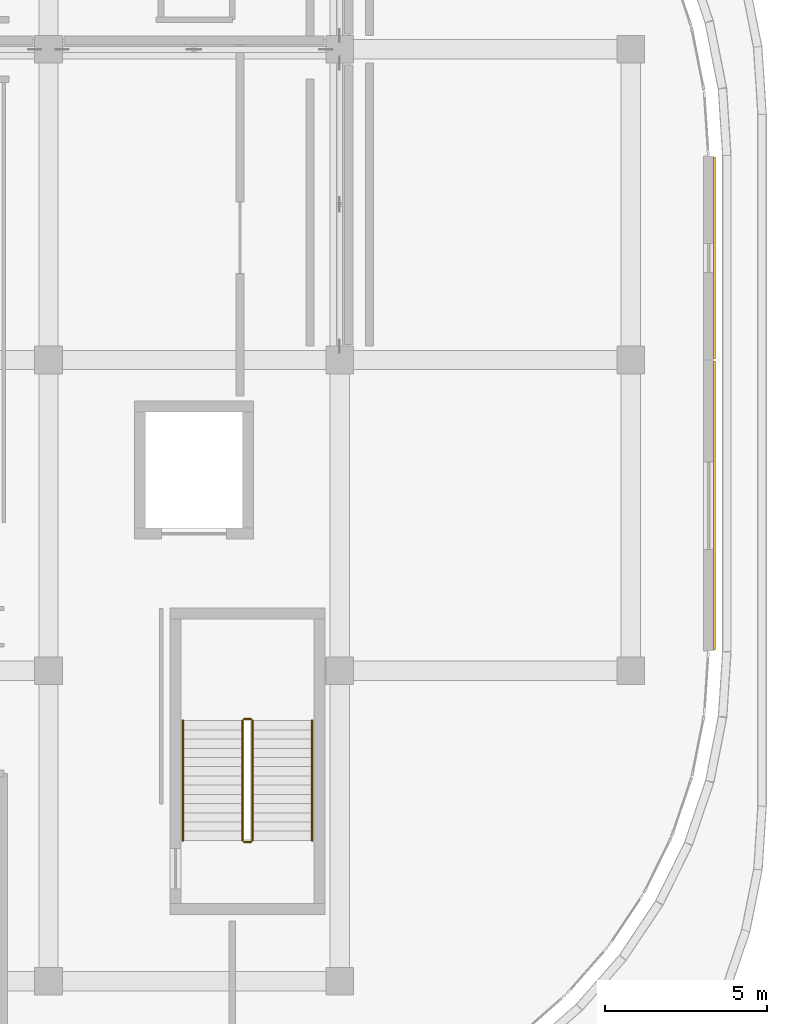
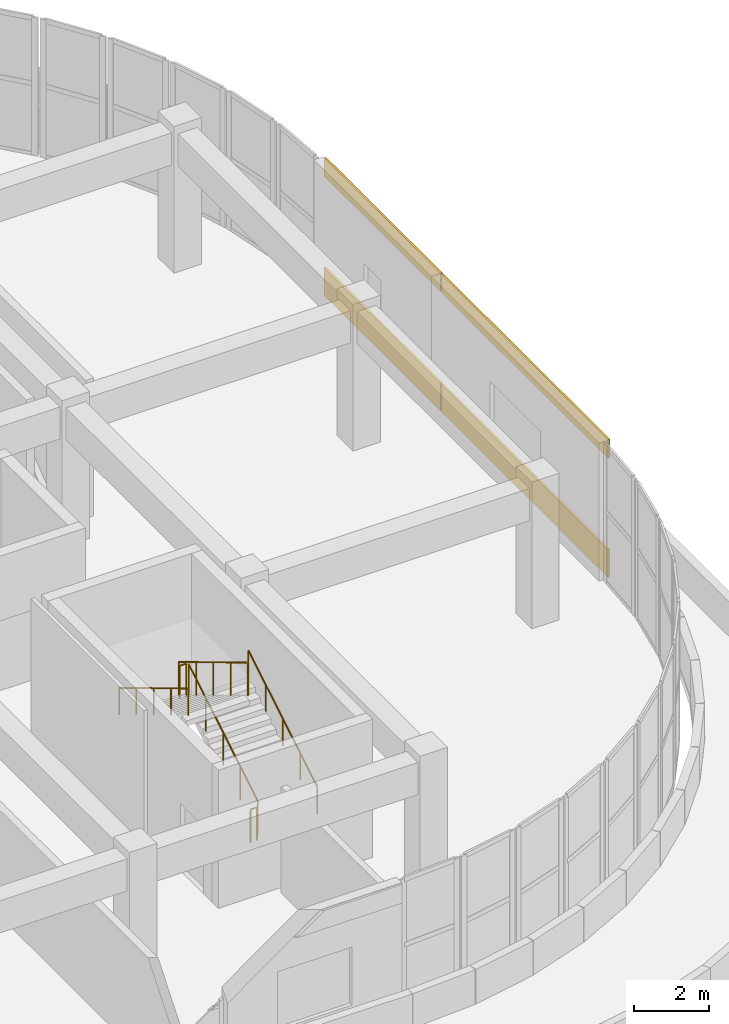
# One storey, part 65 of 67: 6 railings, 4 coverings.
"""IFC4 building model written with IfcOpenShell, lengths in metres."""

from ifc_helpers import new_model, si_unit, direction, frame, origin, origin_2d, place, context, subcontext, project, spatial, rectangle, circle, extrude, material, layer, layer_set, type_object, element, save


model = new_model("IFC4")

# Units and contexts
model_context = context("Model", 3, precision=1e-05, world=origin(), true_north=direction((0.0, 1.0)))
body_context = subcontext(model_context, "Body", "Model", "MODEL_VIEW")
ifc_project = project(units=[si_unit("LENGTHUNIT", "METRE"), si_unit("AREAUNIT", "SQUARE_METRE"), si_unit("VOLUMEUNIT", "CUBIC_METRE"), si_unit("PLANEANGLEUNIT", "RADIAN"), si_unit("MASSUNIT", "GRAM", prefix="KILO")], contexts=[model_context])

# Site, building, storey
site_placement = place(None, origin())
site = spatial("IfcSite", under=ifc_project, at=site_placement, CompositionType="ELEMENT")
building_placement = place(site_placement, origin())
building = spatial("IfcBuilding", under=site, at=building_placement, Name="Cendralis Terraced Arcade", CompositionType="ELEMENT")
storey_placement = place(building_placement, frame((0.0, 0.0, 15.0)))
storey = spatial("IfcBuildingStorey", under=building, at=storey_placement, Name="L03", CompositionType="ELEMENT", Elevation=15.0)

# Coverings
ifc_material_1 = material(Name="Precast concrete f'c 40 MPa", Category="concrete")
ifc_layer = layer(ifc_material_1, 0.06494140625, Name="COV-CLAD-GRC-65")
ifc_layer_set = layer_set([ifc_layer], Name="Precast concrete f'c 40 MPa")
covering_type = type_object("IfcCoveringType", Name="COV-CLAD-GRC-65", PredefinedType="CLADDING", material=ifc_layer_set)
covering_1_placement = place(storey_placement, frame((168.780029296875, 91.949951171875, 0.0), z_axis=(0.0, 0.0, 1.0), x_axis=(0.0, -1.0, 0.0)))
element("IfcCovering", 1, at=covering_1_placement, inside=storey, type_object=covering_type, Name="Banded Precast Stone Spandrel Cladding L03-331", PredefinedType="CLADDING", context=body_context, shape_type="SweptSolid", body=[
    extrude(rectangle(XDim=6.239990234375, YDim=0.06494140625, at=origin_2d()), origin(), (0.0, 0.0, 1.0), 0.89990234375),
])
covering_2_placement = place(storey_placement, frame((168.780029296875, 91.949951171875, 3.89990234375), z_axis=(0.0, 0.0, 1.0), x_axis=(0.0, -1.0, 0.0)))
element("IfcCovering", 2, at=covering_2_placement, inside=storey, type_object=covering_type, Name="Banded Precast Stone Lintel Cladding L03-332", PredefinedType="CLADDING", context=body_context, shape_type="SweptSolid", body=[
    extrude(rectangle(XDim=6.239990234375, YDim=0.06494140625, at=origin_2d()), origin(), (0.0, 0.0, 1.0), 0.60009765625),
])
covering_3_placement = place(storey_placement, frame((168.780029296875, 84.300048828125, 0.0), z_axis=(0.0, 0.0, 1.0), x_axis=(0.0, -1.0, 0.0)))
element("IfcCovering", 3, at=covering_3_placement, inside=storey, type_object=covering_type, Name="Banded Precast Stone Spandrel Cladding L03-333", PredefinedType="CLADDING", context=body_context, shape_type="SweptSolid", body=[
    extrude(rectangle(XDim=8.93994140625, YDim=0.06494140625, at=origin_2d()), origin(), (0.0, 0.0, 1.0), 0.89990234375),
])
covering_4_placement = place(storey_placement, frame((168.780029296875, 84.300048828125, 3.89990234375), z_axis=(0.0, 0.0, 1.0), x_axis=(0.0, -1.0, 0.0)))
element("IfcCovering", 4, at=covering_4_placement, inside=storey, type_object=covering_type, Name="Banded Precast Stone Lintel Cladding L03-334", PredefinedType="CLADDING", context=body_context, shape_type="SweptSolid", body=[
    extrude(rectangle(XDim=8.93994140625, YDim=0.06494140625, at=origin_2d()), origin(), (0.0, 0.0, 1.0), 0.60009765625),
])

# Railings
ifc_material_2 = material(Name="Brushed stainless steel AISI 316", Category="steel")
railing_type_1 = type_object("IfcRailingType", Name="RL-STAIR-GUARD-1100", PredefinedType="GUARDRAIL", material=ifc_material_2)
railing_1_placement = place(storey_placement, frame((154.5, 73.949951171875, 0.17138671875)))
element("IfcRailing", 5, at=railing_1_placement, inside=storey, type_object=railing_type_1, Name="L03 ST-06 stair guard 1", PredefinedType="GUARDRAIL", context=body_context, shape_type="SweptSolid", body=[
    extrude(circle(Radius=0.02392578125, at=origin_2d()), frame((0.0, 0.0, 1.076171875), z_axis=(0.0, 0.856934400257, 0.515425487977), x_axis=(-1.0, 0.0, 0.0)), (0.0, 0.0, 1.0), 4.32373046875),
    extrude(circle(Radius=0.02099609375, at=origin_2d()), origin(), (0.0, 0.0, 1.0), 1.052001953125),
    extrude(circle(Radius=0.02099609375, at=origin_2d()), frame((0.0, 0.92626953125, 0.55712890625)), (0.0, 0.0, 1.0), 1.052001953125),
    extrude(circle(Radius=0.02099609375, at=origin_2d()), frame((0.0, 1.8525390625, 1.1142578125)), (0.0, 0.0, 1.0), 1.052001953125),
    extrude(circle(Radius=0.02099609375, at=origin_2d()), frame((0.0, 2.77880859375, 1.67138671875)), (0.0, 0.0, 1.0), 1.052001953125),
    extrude(circle(Radius=0.02099609375, at=origin_2d()), frame((0.0, 3.705078125, 2.228515625)), (0.0, 0.0, 1.0), 1.052001953125),
])
railing_2_placement = place(storey_placement, frame((154.449951171875, 77.705078125, 2.39990234375)))
element("IfcRailing", 6, at=railing_2_placement, inside=storey, type_object=railing_type_1, Name="L03 ST-06 stair guard 2", PredefinedType="GUARDRAIL", context=body_context, shape_type="SweptSolid", body=[
    extrude(circle(Radius=0.02392578125, at=origin_2d()), frame((0.0, 0.0, 1.076171875), z_axis=(-1.0, 0.0, 0.0), x_axis=(0.0, -1.0, 0.0)), (0.0, 0.0, 1.0), 0.199951171875),
    extrude(circle(Radius=0.02099609375, at=origin_2d()), origin(), (0.0, 0.0, 1.0), 1.052001953125),
    extrude(circle(Radius=0.02099609375, at=origin_2d()), frame((-0.199951171875, 0.0, 0.0)), (0.0, 0.0, 1.0), 1.052001953125),
])
railing_3_placement = place(storey_placement, frame((154.199951171875, 77.655029296875, 2.571533203125)))
element("IfcRailing", 7, at=railing_3_placement, inside=storey, type_object=railing_type_1, Name="L03 ST-06 stair guard 3", PredefinedType="GUARDRAIL", context=body_context, shape_type="SweptSolid", body=[
    extrude(circle(Radius=0.02392578125, at=origin_2d()), frame((0.0, 0.0, 1.076171875), z_axis=(0.0, -0.856934400257, 0.515425487977), x_axis=(1.0, 0.0, 0.0)), (0.0, 0.0, 1.0), 4.32373046875),
    extrude(circle(Radius=0.02099609375, at=origin_2d()), origin(), (0.0, 0.0, 1.0), 1.052001953125),
    extrude(circle(Radius=0.02099609375, at=origin_2d()), frame((0.0, -0.92626953125, 0.55712890625)), (0.0, 0.0, 1.0), 1.052001953125),
    extrude(circle(Radius=0.02099609375, at=origin_2d()), frame((0.0, -1.8525390625, 1.1142578125)), (0.0, 0.0, 1.0), 1.052001953125),
    extrude(circle(Radius=0.02099609375, at=origin_2d()), frame((0.0, -2.77880859375, 1.67138671875)), (0.0, 0.0, 1.0), 1.052001953125),
    extrude(circle(Radius=0.02099609375, at=origin_2d()), frame((0.0, -3.705078125, 2.228515625)), (0.0, 0.0, 1.0), 1.052001953125),
])
railing_4_placement = place(storey_placement, frame((154.449951171875, 73.89990234375, 0.0)))
element("IfcRailing", 8, at=railing_4_placement, inside=storey, type_object=railing_type_1, Name="L03 ST-06 stair guard 4", PredefinedType="GUARDRAIL", context=body_context, shape_type="SweptSolid", body=[
    extrude(circle(Radius=0.02392578125, at=origin_2d()), frame((0.0, 0.0, 1.076171875), z_axis=(-1.0, 0.0, 0.0), x_axis=(0.0, -1.0, 0.0)), (0.0, 0.0, 1.0), 0.199951171875),
    extrude(circle(Radius=0.02099609375, at=origin_2d()), origin(), (0.0, 0.0, 1.0), 1.052001953125),
    extrude(circle(Radius=0.02099609375, at=origin_2d()), frame((-0.199951171875, 0.0, 0.0)), (0.0, 0.0, 1.0), 1.052001953125),
])
railing_type_2 = type_object("IfcRailingType", Name="RL-STAIR-HAND-900", PredefinedType="HANDRAIL", material=ifc_material_2)
railing_5_placement = place(storey_placement, frame((156.35009765625, 73.949951171875, 0.17138671875)))
element("IfcRailing", 9, at=railing_5_placement, inside=storey, type_object=railing_type_2, Name="L03 ST-06 stair handrail 1", PredefinedType="HANDRAIL", context=body_context, shape_type="SweptSolid", body=[
    extrude(circle(Radius=0.02392578125, at=origin_2d()), frame((0.0, 0.0, 0.8759765625), z_axis=(0.0, 0.856934400257, 0.515425487977), x_axis=(-1.0, 0.0, 0.0)), (0.0, 0.0, 1.0), 4.32373046875),
    extrude(circle(Radius=0.02099609375, at=origin_2d()), origin(), (0.0, 0.0, 1.0), 0.851806640625),
    extrude(circle(Radius=0.02099609375, at=origin_2d()), frame((0.0, 0.92626953125, 0.55712890625)), (0.0, 0.0, 1.0), 0.851806640625),
    extrude(circle(Radius=0.02099609375, at=origin_2d()), frame((0.0, 1.8525390625, 1.1142578125)), (0.0, 0.0, 1.0), 0.851806640625),
    extrude(circle(Radius=0.02099609375, at=origin_2d()), frame((0.0, 2.77880859375, 1.67138671875)), (0.0, 0.0, 1.0), 0.851806640625),
    extrude(circle(Radius=0.02099609375, at=origin_2d()), frame((0.0, 3.705078125, 2.228515625)), (0.0, 0.0, 1.0), 0.851806640625),
])
railing_6_placement = place(storey_placement, frame((152.35009765625, 77.655029296875, 2.571533203125)))
element("IfcRailing", 10, at=railing_6_placement, inside=storey, type_object=railing_type_2, Name="L03 ST-06 stair handrail 2", PredefinedType="HANDRAIL", context=body_context, shape_type="SweptSolid", body=[
    extrude(circle(Radius=0.02392578125, at=origin_2d()), frame((0.0, 0.0, 0.8759765625), z_axis=(0.0, -0.856934400257, 0.515425487977), x_axis=(1.0, 0.0, 0.0)), (0.0, 0.0, 1.0), 4.32373046875),
    extrude(circle(Radius=0.02099609375, at=origin_2d()), origin(), (0.0, 0.0, 1.0), 0.851806640625),
    extrude(circle(Radius=0.02099609375, at=origin_2d()), frame((0.0, -0.92626953125, 0.55712890625)), (0.0, 0.0, 1.0), 0.851806640625),
    extrude(circle(Radius=0.02099609375, at=origin_2d()), frame((0.0, -1.8525390625, 1.1142578125)), (0.0, 0.0, 1.0), 0.851806640625),
    extrude(circle(Radius=0.02099609375, at=origin_2d()), frame((0.0, -2.77880859375, 1.67138671875)), (0.0, 0.0, 1.0), 0.851806640625),
    extrude(circle(Radius=0.02099609375, at=origin_2d()), frame((0.0, -3.705078125, 2.228515625)), (0.0, 0.0, 1.0), 0.851806640625),
])

save(model, "model.ifc")
